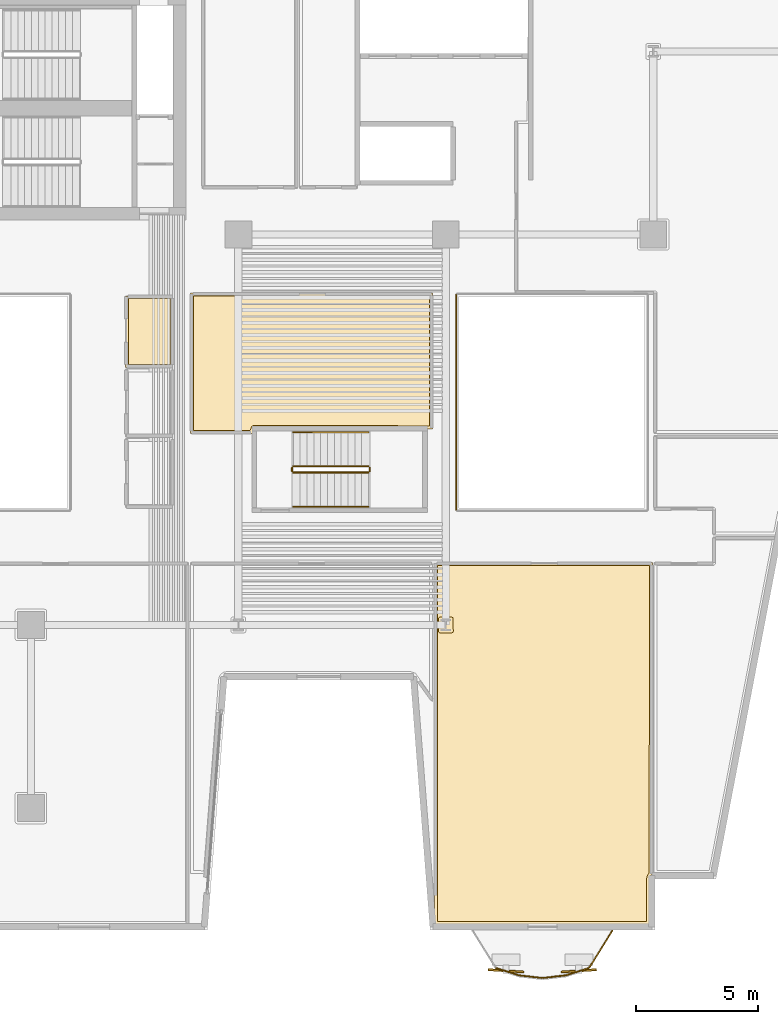
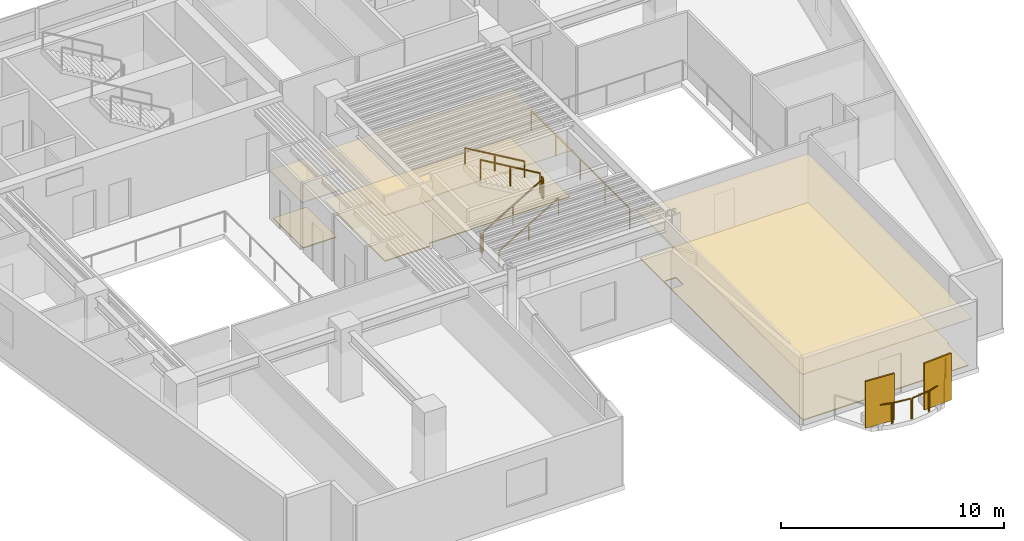
# One storey, part 10 of 13: 12 railings, 6 coverings, 2 shading devices.
"""IFC4 building model written with IfcOpenShell, lengths in metres."""

from ifc_helpers import new_model, si_unit, direction, frame, origin, origin_2d, place, context, subcontext, project, spatial, polyline, rectangle, outline, extrude, material, layer, layer_set, type_object, element, save


model = new_model("IFC4")

# Units and contexts
model_context = context("Model", 3, precision=1e-05, world=origin(), true_north=direction((0.0, 1.0)))
body_context = subcontext(model_context, "Body", "Model", "MODEL_VIEW")
ifc_project = project(units=[si_unit("LENGTHUNIT", "METRE"), si_unit("AREAUNIT", "SQUARE_METRE"), si_unit("VOLUMEUNIT", "CUBIC_METRE"), si_unit("PLANEANGLEUNIT", "RADIAN"), si_unit("MASSUNIT", "GRAM", prefix="KILO")], contexts=[model_context])

# Site, building, storey
site_placement = place(None, origin())
site = spatial("IfcSite", under=ifc_project, at=site_placement, CompositionType="ELEMENT")
building_placement = place(site_placement, origin())
building = spatial("IfcBuilding", under=site, at=building_placement, Name="Caeloran Harvest Quay", CompositionType="ELEMENT")
storey_placement = place(building_placement, frame((0.0, 0.0, 123.25)))
storey = spatial("IfcBuildingStorey", under=building, at=storey_placement, Name="L28", CompositionType="ELEMENT", Elevation=123.25)

# Coverings
ifc_material_1 = material(Name="Perforated Mineral-Fibre Acoustic Ceiling Tile", Category="ceiling")
ifc_layer_1 = layer(ifc_material_1, 0.0400390625, Name="Perforated Mineral-Fibre Acoustic Ceiling Tile")
ifc_layer_set_1 = layer_set([ifc_layer_1], Name="Perforated Mineral-Fibre Acoustic Ceiling Tile")
covering_type_1 = type_object("IfcCoveringType", Name="COV-CEILING-ACOUSTIC", PredefinedType="CEILING", material=ifc_layer_set_1)
covering_1_placement = place(storey_placement, frame((0.0, 0.0, 2.60009765625)))
element("IfcCovering", 1, at=covering_1_placement, inside=storey, type_object=covering_type_1, Name="L28 Male Washroom WC Acoustic Ceiling", PredefinedType="CEILING", context=body_context, shape_type="SweptSolid", body=[
    extrude(outline(polyline([(22.840087890625, 25.56005859375), (20.8701171875, 25.56005859375), (20.8701171875, 28.489990234375), (22.840087890625, 28.489990234375), (22.840087890625, 25.56005859375)])), origin(), (0.0, 0.0, 1.0), 0.039794921875),
])
covering_2_placement = place(storey_placement, frame((0.0, 0.0, 2.60009765625)))
element("IfcCovering", 2, at=covering_2_placement, inside=storey, type_object=covering_type_1, Name="Controlled-Climate Simulation Lab Acoustic Ceiling", PredefinedType="CEILING", context=body_context, shape_type="SweptSolid", body=[
    extrude(outline(polyline([(42.39990234375, 4.739501953125), (42.359619140625, 4.663818359375), (42.35009765625, 4.59912109375), (42.35009765625, 2.719970703125), (33.55859375, 2.719970703125), (33.5400390625, 2.95703125), (33.5400390625, 17.56005859375), (42.4599609375, 17.56005859375), (42.4599609375, 4.7919921875), (42.39990234375, 4.739501953125)])), origin(), (0.0, 0.0, 1.0), 0.039794921875),
])
covering_3_placement = place(storey_placement, frame((0.0, 0.0, 2.60009765625)))
element("IfcCovering", 3, at=covering_3_placement, inside=storey, type_object=covering_type_1, Name="Server Rack Laboratory Acoustic Ceiling", PredefinedType="CEILING", context=body_context, shape_type="SweptSolid", body=[
    extrude(outline(polyline([(26.139892578125, 23.06005859375), (26.139892578125, 23.02099609375), (26.054443359375, 22.840087890625), (23.5400390625, 22.840087890625), (23.5400390625, 28.610107421875), (33.4599609375, 28.610107421875), (33.4599609375, 23.0400390625), (33.170166015625, 23.0400390625), (33.162841796875, 23.06005859375), (26.139892578125, 23.06005859375)])), origin(), (0.0, 0.0, 1.0), 0.039794921875),
])
ifc_material_2 = material(Name="Calcium-Sulphate Raised Access Floor and Terrazzo Finish", Category="flooring")
ifc_layer_2 = layer(ifc_material_2, 0.050048828125, Name="Calcium-Sulphate Raised Access Floor and Terrazzo Finish")
ifc_layer_set_2 = layer_set([ifc_layer_2], Name="Calcium-Sulphate Raised Access Floor and Terrazzo Finish")
covering_type_2 = type_object("IfcCoveringType", Name="COV-FLOOR-RAISED", PredefinedType="FLOORING", material=ifc_layer_set_2)
covering_4_placement = place(storey_placement, origin())
element("IfcCovering", 4, at=covering_4_placement, inside=storey, type_object=covering_type_2, Name="L28 Male Washroom WC Raised Finish Flooring", PredefinedType="FLOORING", context=body_context, shape_type="SweptSolid", body=[
    extrude(outline(polyline([(22.719970703125, 25.679931640625), (20.989990234375, 25.679931640625), (20.989990234375, 28.3701171875), (22.719970703125, 28.3701171875), (22.719970703125, 25.679931640625)])), origin(), (0.0, 0.0, 1.0), 0.050048828125),
])
covering_5_placement = place(storey_placement, origin())
element("IfcCovering", 5, at=covering_5_placement, inside=storey, type_object=covering_type_2, Name="Controlled-Climate Simulation Lab Raised Finish Flooring", PredefinedType="FLOORING", context=body_context, shape_type="SweptSolid", body=[
    extrude(outline(polyline([(42.33251953125, 4.843017578125), (42.257568359375, 4.733642578125), (42.231201171875, 4.62939453125), (42.22998046875, 2.840087890625), (33.66943359375, 2.840087890625), (33.659912109375, 17.43994140625), (42.340087890625, 17.43994140625), (42.33251953125, 4.843017578125)]), holes=[polyline([(34.306884765625, 14.748046875), (34.288818359375, 15.302734375), (34.23486328125, 15.33154296875), (33.77294921875, 15.33203125), (33.71630859375, 15.30859375), (33.693115234375, 15.251953125), (33.693115234375, 14.748046875), (33.71630859375, 14.69140625), (33.77294921875, 14.66796875), (34.22705078125, 14.66796875), (34.28369140625, 14.69140625), (34.306884765625, 14.748046875)])]), origin(), (0.0, 0.0, 1.0), 0.050048828125),
])
covering_6_placement = place(storey_placement, origin())
element("IfcCovering", 6, at=covering_6_placement, inside=storey, type_object=covering_type_2, Name="Server Rack Laboratory Raised Finish Flooring", PredefinedType="FLOORING", context=body_context, shape_type="SweptSolid", body=[
    extrude(outline(polyline([(33.340087890625, 23.159912109375), (26.1298828125, 23.179931640625), (26.040771484375, 23.13427734375), (25.978515625, 22.9599609375), (23.659912109375, 22.9599609375), (23.659912109375, 28.489990234375), (33.340087890625, 28.489990234375), (33.340087890625, 23.159912109375)])), origin(), (0.0, 0.0, 1.0), 0.050048828125),
])

# Railings
ifc_material_3 = material(Name="Powder-Coated Steel Post and Laminated Glass Guardrail", Category="steel")
ifc_layer_3 = layer(ifc_material_3, 0.06005859375, Name="Powder-Coated Steel Post and Laminated Glass Guardrail")
ifc_layer_set_3 = layer_set([ifc_layer_3], Name="Powder-Coated Steel Post and Laminated Glass Guardrail")
railing_type_1 = type_object("IfcRailingType", Name="GUARD-ATRIUM-1150", PredefinedType="GUARDRAIL", material=ifc_layer_set_3)
railing_1_placement = place(storey_placement, frame((34.429931640625, 28.5380859375, 0.0)))
element("IfcRailing", 7, at=railing_1_placement, inside=storey, type_object=railing_type_1, Name="L28 East Botanical Lightwell Guardrail Seg 4", PredefinedType="GUARDRAIL", context=body_context, shape_type="SweptSolid", body=[
    extrude(rectangle(XDim=0.048095703125, YDim=0.048095703125, at=origin_2d()), frame((0.0, 0.0, 1.1259765625), z_axis=(0.0, -1.0, 0.0), x_axis=(1.0, 0.0, 0.0)), (0.0, 0.0, 1.0), 8.826171875),
    extrude(rectangle(XDim=0.0419921875, YDim=0.0419921875, at=origin_2d()), origin(), (0.0, 0.0, 1.0), 1.101806640625),
    extrude(rectangle(XDim=0.0419921875, YDim=0.0419921875, at=origin_2d()), frame((0.0, -2.20654296875, 0.0)), (0.0, 0.0, 1.0), 1.101806640625),
    extrude(rectangle(XDim=0.0419921875, YDim=0.0419921875, at=origin_2d()), frame((0.0, -4.4130859375, 0.0)), (0.0, 0.0, 1.0), 1.101806640625),
    extrude(rectangle(XDim=0.0419921875, YDim=0.0419921875, at=origin_2d()), frame((0.0, -6.61962890625, 0.0)), (0.0, 0.0, 1.0), 1.101806640625),
    extrude(rectangle(XDim=0.0419921875, YDim=0.0419921875, at=origin_2d()), frame((0.0, -8.826171875, 0.0)), (0.0, 0.0, 1.0), 1.101806640625),
])
ifc_material_4 = material(Name="Laminated Safety Glass and Stainless Steel 316", Category="steel")
ifc_layer_4 = layer(ifc_material_4, 0.06005859375, Name="Laminated Safety Glass and Stainless Steel 316")
ifc_layer_set_4 = layer_set([ifc_layer_4], Name="Laminated Safety Glass and Stainless Steel 316")
railing_type_2 = type_object("IfcRailingType", Name="GUARD-BALUSTRADE-1150", PredefinedType="BALUSTRADE", material=ifc_layer_set_4)
railing_2_placement = place(storey_placement, frame((40.825927734375, 2.47998046875, 0.0)))
element("IfcRailing", 8, at=railing_2_placement, inside=storey, type_object=railing_type_2, Name="L28 Planted Balcony Perimeter Balustrade Guard Seg 1", PredefinedType="BALUSTRADE", context=body_context, shape_type="SweptSolid", body=[
    extrude(rectangle(XDim=0.048095703125, YDim=0.048095703125, at=origin_2d()), frame((0.0, 0.0, 1.1259765625), z_axis=(-0.529145567667, -0.84853106497, 0.0), x_axis=(0.84853106497, -0.529145567667, 0.0)), (0.0, 0.0, 1.0), 1.77490234375),
    extrude(rectangle(XDim=0.0419921875, YDim=0.0419921875, at=origin_2d()), origin(), (0.0, 0.0, 1.0), 1.101806640625),
    extrude(rectangle(XDim=0.0419921875, YDim=0.0419921875, at=origin_2d()), frame((-0.939208984375, -1.506103515625, 0.0)), (0.0, 0.0, 1.0), 1.101806640625),
])
railing_3_placement = place(storey_placement, frame((39.83935546875, 0.93701171875, 0.0)))
element("IfcRailing", 9, at=railing_3_placement, inside=storey, type_object=railing_type_2, Name="L28 Planted Balcony Perimeter Balustrade Guard Seg 2", PredefinedType="BALUSTRADE", context=body_context, shape_type="SweptSolid", body=[
    extrude(rectangle(XDim=0.048095703125, YDim=0.048095703125, at=origin_2d()), frame((0.0, 0.0, 1.1259765625), z_axis=(-0.953433225927, -0.301604183822, 0.0), x_axis=(0.301604183822, -0.953433225927, 0.0)), (0.0, 0.0, 1.0), 0.93896484375),
    extrude(rectangle(XDim=0.0419921875, YDim=0.0419921875, at=origin_2d()), origin(), (0.0, 0.0, 1.0), 1.101806640625),
    extrude(rectangle(XDim=0.0419921875, YDim=0.0419921875, at=origin_2d()), frame((-0.895263671875, -0.283203125, 0.0)), (0.0, 0.0, 1.0), 1.101806640625),
])
railing_4_placement = place(storey_placement, frame((38.8818359375, 0.640380859375, 0.0)))
element("IfcRailing", 10, at=railing_4_placement, inside=storey, type_object=railing_type_2, Name="L28 Planted Balcony Perimeter Balustrade Guard Seg 3", PredefinedType="BALUSTRADE", context=body_context, shape_type="SweptSolid", body=[
    extrude(rectangle(XDim=0.048095703125, YDim=0.048095703125, at=origin_2d()), frame((0.0, 0.0, 1.1259765625), z_axis=(-0.993342131625, -0.115201603887, 0.0), x_axis=(0.115201603887, -0.993342131625, 0.0)), (0.0, 0.0, 1.0), 0.898681640625),
    extrude(rectangle(XDim=0.0419921875, YDim=0.0419921875, at=origin_2d()), origin(), (0.0, 0.0, 1.0), 1.101806640625),
    extrude(rectangle(XDim=0.0419921875, YDim=0.0419921875, at=origin_2d()), frame((-0.892578125, -0.103515625, 0.0)), (0.0, 0.0, 1.0), 1.101806640625),
])
railing_5_placement = place(storey_placement, frame((37.92578125, 0.536865234375, 0.0)))
element("IfcRailing", 11, at=railing_5_placement, inside=storey, type_object=railing_type_2, Name="L28 Planted Balcony Perimeter Balustrade Guard Seg 4", PredefinedType="BALUSTRADE", context=body_context, shape_type="SweptSolid", body=[
    extrude(rectangle(XDim=0.048095703125, YDim=0.048095703125, at=origin_2d()), frame((0.0, 0.0, 1.1259765625), z_axis=(-0.993342131625, 0.115201603887, 0.0), x_axis=(-0.115201603887, -0.993342131625, 0.0)), (0.0, 0.0, 1.0), 0.898681640625),
    extrude(rectangle(XDim=0.0419921875, YDim=0.0419921875, at=origin_2d()), origin(), (0.0, 0.0, 1.0), 1.101806640625),
    extrude(rectangle(XDim=0.0419921875, YDim=0.0419921875, at=origin_2d()), frame((-0.892578125, 0.103515625, 0.0)), (0.0, 0.0, 1.0), 1.101806640625),
])
railing_6_placement = place(storey_placement, frame((36.970703125, 0.65380859375, 0.0)))
element("IfcRailing", 12, at=railing_6_placement, inside=storey, type_object=railing_type_2, Name="L28 Planted Balcony Perimeter Balustrade Guard Seg 5", PredefinedType="BALUSTRADE", context=body_context, shape_type="SweptSolid", body=[
    extrude(rectangle(XDim=0.048095703125, YDim=0.048095703125, at=origin_2d()), frame((0.0, 0.0, 1.1259765625), z_axis=(-0.953409565879, 0.301678967927, 0.0), x_axis=(-0.301678967927, -0.953409565879, 0.0)), (0.0, 0.0, 1.0), 0.938720703125),
    extrude(rectangle(XDim=0.0419921875, YDim=0.0419921875, at=origin_2d()), origin(), (0.0, 0.0, 1.0), 1.101806640625),
    extrude(rectangle(XDim=0.0419921875, YDim=0.0419921875, at=origin_2d()), frame((-0.89501953125, 0.283203125, 0.0)), (0.0, 0.0, 1.0), 1.101806640625),
])

# Shading devices
ifc_material_5 = material(Name="3003-H14 Perforated Powder-Coated Aluminium", Category="aluminium")
shading_device_type = type_object("IfcShadingDeviceType", Name="SHADE-SCREEN-FOLDED", PredefinedType="USERDEFINED", material=ifc_material_5)
for number, where, z_axis, x_axis, name in (
    (13, (39.44921875, 0.82861328125, 0.0751953125), (0.0, 0.0, 1.0), (0.997801468292, 0.0662739004, 0.0), "L28 Folded Facade Breathing Screen 1"),
    (14, (36.4658203125, 0.82861328125, 0.0751953125), (0.0, 0.0, 1.0), (0.997801468292, -0.0662739004, 0.0), "L28 Folded Facade Breathing Screen 2"),
):
    element("IfcShadingDevice", number, at=place(storey_placement, frame(where, z_axis=z_axis, x_axis=x_axis)), inside=storey, type_object=shading_device_type, Name=name, ObjectType="SCREEN", PredefinedType="USERDEFINED", context=body_context, shape_type="SweptSolid", body=[
        extrude(rectangle(XDim=1.449951171875, YDim=0.080078125, at=origin_2d()), origin(), (0.0, 0.0, 1.0), 2.550048828125),
    ])

# Railings
ifc_material_6 = material(Name="Painted Steel Baluster and Top-Rail Stair Guard", Category="steel")
ifc_layer_5 = layer(ifc_material_6, 0.050048828125, Name="Painted Steel Baluster and Top-Rail Stair Guard")
ifc_layer_set_5 = layer_set([ifc_layer_5], Name="Painted Steel Baluster and Top-Rail Stair Guard")
railing_type_3 = type_object("IfcRailingType", Name="STAIR-GUARD-1100", PredefinedType="GUARDRAIL", material=ifc_layer_set_5)
railing_7_placement = place(storey_placement, frame((27.75, 21.25, 0.16455078125)))
element("IfcRailing", 15, at=railing_7_placement, inside=storey, type_object=railing_type_3, Name="L28 ST-W1 stair guard 1", PredefinedType="GUARDRAIL", context=body_context, shape_type="SweptSolid", body=[
    extrude(rectangle(XDim=0.048095703125, YDim=0.048095703125, at=origin_2d()), frame((0.0, 0.0, 1.076171875), z_axis=(0.862088758681, 0.0, 0.506757310905), x_axis=(0.0, 1.0, 0.0)), (0.0, 0.0, 1.0), 3.57275390625),
    extrude(rectangle(XDim=0.0419921875, YDim=0.0419921875, at=origin_2d()), origin(), (0.0, 0.0, 1.0), 1.052001953125),
    extrude(rectangle(XDim=0.0419921875, YDim=0.0419921875, at=origin_2d()), frame((1.5400390625, 0.0, 0.9052734375)), (0.0, 0.0, 1.0), 1.052001953125),
    extrude(rectangle(XDim=0.0419921875, YDim=0.0419921875, at=origin_2d()), frame((3.080078125, 0.0, 1.810546875)), (0.0, 0.0, 1.0), 1.052001953125),
])
railing_8_placement = place(storey_placement, frame((30.8798828125, 21.300048828125, 1.97509765625)))
element("IfcRailing", 16, at=railing_8_placement, inside=storey, type_object=railing_type_3, Name="L28 ST-W1 stair guard 2", PredefinedType="GUARDRAIL", context=body_context, shape_type="SweptSolid", body=[
    extrude(rectangle(XDim=0.048095703125, YDim=0.048095703125, at=origin_2d()), frame((0.0, 0.0, 1.076171875), z_axis=(0.0, 1.0, 0.0), x_axis=(-1.0, 0.0, 0.0)), (0.0, 0.0, 1.0), 0.14990234375),
    extrude(rectangle(XDim=0.0419921875, YDim=0.0419921875, at=origin_2d()), origin(), (0.0, 0.0, 1.0), 1.052001953125),
    extrude(rectangle(XDim=0.0419921875, YDim=0.0419921875, at=origin_2d()), frame((0.0, 0.14990234375, 0.0)), (0.0, 0.0, 1.0), 1.052001953125),
])
railing_9_placement = place(storey_placement, frame((30.830078125, 21.5, 2.1396484375)))
element("IfcRailing", 17, at=railing_9_placement, inside=storey, type_object=railing_type_3, Name="L28 ST-W1 stair guard 3", PredefinedType="GUARDRAIL", context=body_context, shape_type="SweptSolid", body=[
    extrude(rectangle(XDim=0.048095703125, YDim=0.048095703125, at=origin_2d()), frame((0.0, 0.0, 1.076171875), z_axis=(-0.862118610829, 0.0, 0.506706523406), x_axis=(0.0, -1.0, 0.0)), (0.0, 0.0, 1.0), 3.57275390625),
    extrude(rectangle(XDim=0.0419921875, YDim=0.0419921875, at=origin_2d()), origin(), (0.0, 0.0, 1.0), 1.052001953125),
    extrude(rectangle(XDim=0.0419921875, YDim=0.0419921875, at=origin_2d()), frame((-1.5400390625, 0.0, 0.9052734375)), (0.0, 0.0, 1.0), 1.052001953125),
    extrude(rectangle(XDim=0.0419921875, YDim=0.0419921875, at=origin_2d()), frame((-3.080078125, 0.0, 1.810302734375)), (0.0, 0.0, 1.0), 1.052001953125),
])
railing_10_placement = place(storey_placement, frame((27.699951171875, 21.300048828125, 0.0)))
element("IfcRailing", 18, at=railing_10_placement, inside=storey, type_object=railing_type_3, Name="L28 ST-W1 stair guard 4", PredefinedType="GUARDRAIL", context=body_context, shape_type="SweptSolid", body=[
    extrude(rectangle(XDim=0.048095703125, YDim=0.048095703125, at=origin_2d()), frame((0.0, 0.0, 1.076171875), z_axis=(0.0, 1.0, 0.0), x_axis=(-1.0, 0.0, 0.0)), (0.0, 0.0, 1.0), 0.14990234375),
    extrude(rectangle(XDim=0.0419921875, YDim=0.0419921875, at=origin_2d()), origin(), (0.0, 0.0, 1.0), 1.052001953125),
    extrude(rectangle(XDim=0.0419921875, YDim=0.0419921875, at=origin_2d()), frame((0.0, 0.14990234375, 0.0)), (0.0, 0.0, 1.0), 1.052001953125),
])
ifc_material_7 = material(Name="Brushed Stainless Steel Grade 304", Category="steel")
ifc_layer_6 = layer(ifc_material_7, 0.050048828125, Name="Brushed Stainless Steel Grade 304")
ifc_layer_set_6 = layer_set([ifc_layer_6], Name="Brushed Stainless Steel Grade 304")
railing_type_4 = type_object("IfcRailingType", Name="STAIR-HANDRAIL-900", PredefinedType="HANDRAIL", material=ifc_layer_set_6)
railing_11_placement = place(storey_placement, frame((27.75, 19.85009765625, 0.16455078125)))
element("IfcRailing", 19, at=railing_11_placement, inside=storey, type_object=railing_type_4, Name="L28 ST-W1 stair handrail 1", PredefinedType="HANDRAIL", context=body_context, shape_type="SweptSolid", body=[
    extrude(rectangle(XDim=0.048095703125, YDim=0.048095703125, at=origin_2d()), frame((0.0, 0.0, 0.8759765625), z_axis=(0.862088758681, 0.0, 0.506757310905), x_axis=(0.0, 1.0, 0.0)), (0.0, 0.0, 1.0), 3.57275390625),
    extrude(rectangle(XDim=0.0419921875, YDim=0.0419921875, at=origin_2d()), origin(), (0.0, 0.0, 1.0), 0.851806640625),
    extrude(rectangle(XDim=0.0419921875, YDim=0.0419921875, at=origin_2d()), frame((1.5400390625, 0.0, 0.9052734375)), (0.0, 0.0, 1.0), 0.851806640625),
    extrude(rectangle(XDim=0.0419921875, YDim=0.0419921875, at=origin_2d()), frame((3.080078125, 0.0, 1.810546875)), (0.0, 0.0, 1.0), 0.851806640625),
])
railing_12_placement = place(storey_placement, frame((30.830078125, 22.89990234375, 2.1396484375)))
element("IfcRailing", 20, at=railing_12_placement, inside=storey, type_object=railing_type_4, Name="L28 ST-W1 stair handrail 2", PredefinedType="HANDRAIL", context=body_context, shape_type="SweptSolid", body=[
    extrude(rectangle(XDim=0.048095703125, YDim=0.048095703125, at=origin_2d()), frame((0.0, 0.0, 0.8759765625), z_axis=(-0.862118610829, 0.0, 0.506706523406), x_axis=(0.0, -1.0, 0.0)), (0.0, 0.0, 1.0), 3.57275390625),
    extrude(rectangle(XDim=0.0419921875, YDim=0.0419921875, at=origin_2d()), origin(), (0.0, 0.0, 1.0), 0.851806640625),
    extrude(rectangle(XDim=0.0419921875, YDim=0.0419921875, at=origin_2d()), frame((-1.5400390625, 0.0, 0.9052734375)), (0.0, 0.0, 1.0), 0.851806640625),
    extrude(rectangle(XDim=0.0419921875, YDim=0.0419921875, at=origin_2d()), frame((-3.080078125, 0.0, 1.810302734375)), (0.0, 0.0, 1.0), 0.851806640625),
])

save(model, "model.ifc")
